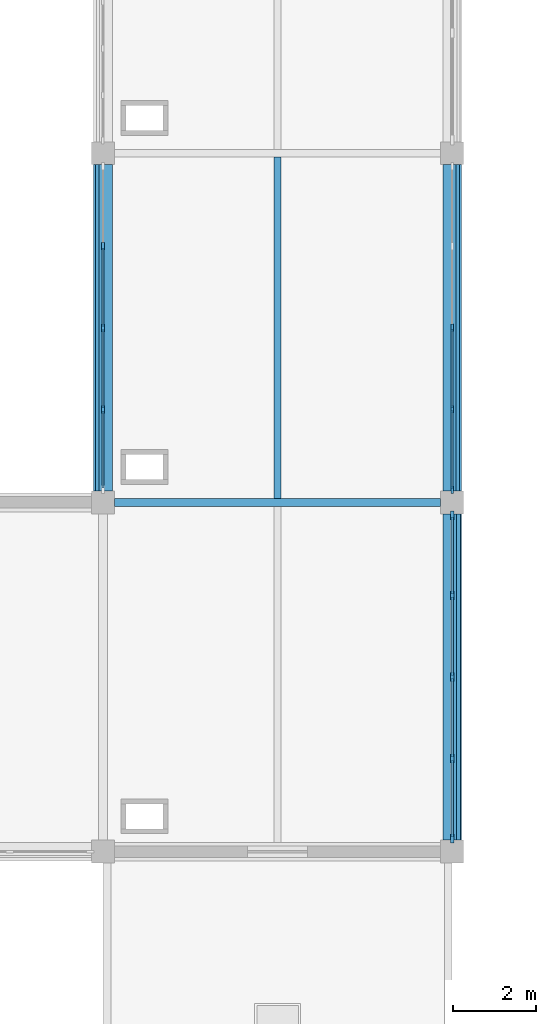
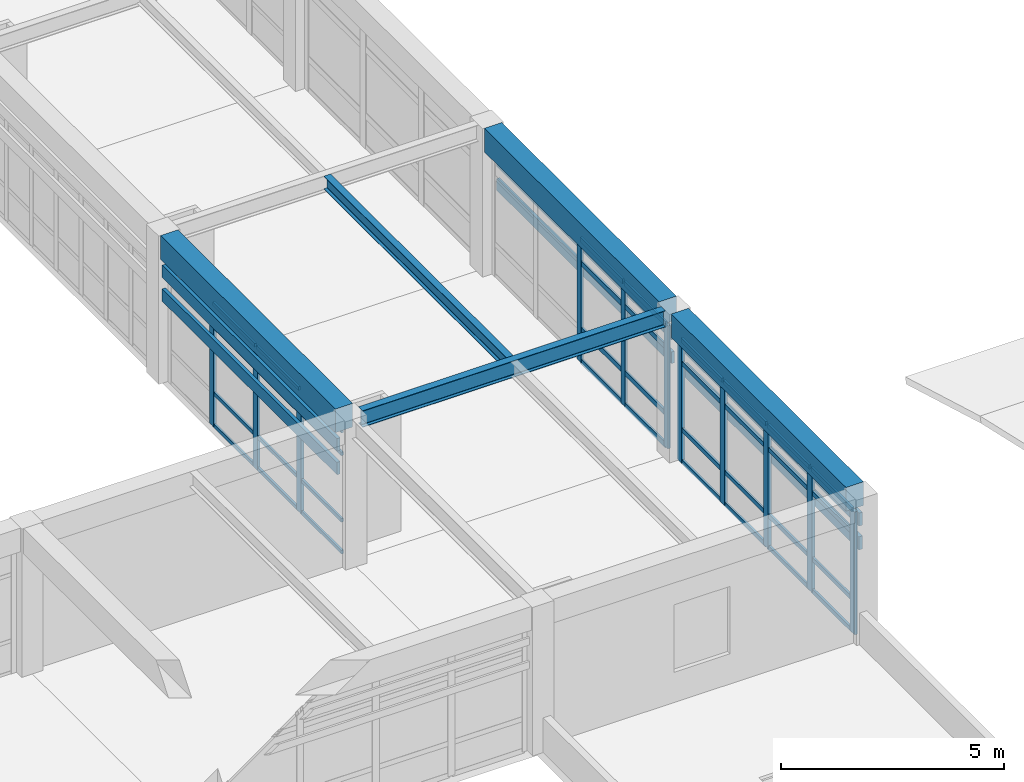
# One storey, part 8 of 40: 53 members, 5 beams, 3 elements without a shape of their own.
"""IFC4 building model written with IfcOpenShell, lengths in metres."""

from ifc_helpers import new_model, si_unit, direction, frame, origin, origin_2d, place, context, subcontext, project, spatial, rectangle, i_section, extrude, material, layer, layer_set, material_profile, profile_set, type_object, element, aggregate, save


model = new_model("IFC4")

# Units and contexts
model_context = context("Model", 3, precision=1e-05, world=origin(), true_north=direction((0.0, 1.0)))
body_context = subcontext(model_context, "Body", "Model", "MODEL_VIEW")
ifc_project = project(units=[si_unit("LENGTHUNIT", "METRE"), si_unit("AREAUNIT", "SQUARE_METRE"), si_unit("VOLUMEUNIT", "CUBIC_METRE"), si_unit("PLANEANGLEUNIT", "RADIAN"), si_unit("MASSUNIT", "GRAM", prefix="KILO")], contexts=[model_context])

# Site, building, storey
site_placement = place(None, origin())
site = spatial("IfcSite", under=ifc_project, at=site_placement, CompositionType="ELEMENT")
building_placement = place(site_placement, origin())
building = spatial("IfcBuilding", under=site, at=building_placement, Name="Porcellanite Civic Hall", CompositionType="ELEMENT")
storey_placement = place(building_placement, frame((0.0, 0.0, 19.080078125)))
storey = spatial("IfcBuildingStorey", under=building, at=storey_placement, Name="L04", CompositionType="ELEMENT", Elevation=19.080078125)

# Beams
ifc_material_1 = material(Name="Concrete N50 (50 MPa)", Category="concrete")
ifc_material_profile_1 = material_profile(ifc_material_1, rectangle(XDim=0.449951171875, YDim=0.64990234375, at=origin_2d()), Name="RC-450x650")
ifc_profile_set_1 = profile_set([ifc_material_profile_1], Name="Concrete N50 (50 MPa)")
beam_type_1 = type_object("IfcBeamType", Name="BM-RC650", PredefinedType="SPANDREL", material=ifc_profile_set_1)
beam_1_placement = place(storey_placement, frame((50.39990234375, 75.87451171875, 3.744873046875), z_axis=(0.0, 1.0, 0.0), x_axis=(-1.0, 0.0, 0.0)))
element("IfcBeam", 1, at=beam_1_placement, inside=storey, type_object=beam_type_1, Name="Beam Y L04 7-10", PredefinedType="SPANDREL", context=body_context, shape_type="SweptSolid", body=[
    extrude(rectangle(XDim=0.449951171875, YDim=0.64990234375, at=origin_2d()), origin(), (0.0, 0.0, 1.0), 7.85107421875),
])
beam_2_placement = place(storey_placement, frame((58.800048828125, 67.474609375, 3.744873046875), z_axis=(0.0, 1.0, 0.0), x_axis=(-1.0, 0.0, 0.0)))
element("IfcBeam", 2, at=beam_2_placement, inside=storey, type_object=beam_type_1, Name="Beam Y L04 8-9", PredefinedType="SPANDREL", context=body_context, shape_type="SweptSolid", body=[
    extrude(rectangle(XDim=0.449951171875, YDim=0.64990234375, at=origin_2d()), origin(), (0.0, 0.0, 1.0), 7.850830078125),
])
beam_3_placement = place(storey_placement, frame((58.800048828125, 75.87451171875, 3.744873046875), z_axis=(0.0, 1.0, 0.0), x_axis=(-1.0, 0.0, 0.0)))
element("IfcBeam", 3, at=beam_3_placement, inside=storey, type_object=beam_type_1, Name="Beam Y L04 8-10", PredefinedType="SPANDREL", context=body_context, shape_type="SweptSolid", body=[
    extrude(rectangle(XDim=0.449951171875, YDim=0.64990234375, at=origin_2d()), origin(), (0.0, 0.0, 1.0), 7.85107421875),
])

# Curtain wall, members
ifc_material_2 = material(Name="Anodised aluminium and solar laminated glass", Category="aluminium")
ifc_layer_1 = layer(ifc_material_2, 0.179931640625)
ifc_layer_set_1 = layer_set([ifc_layer_1], Name="Anodised aluminium and solar laminated glass")
curtain_wall_type_1 = type_object("IfcCurtainWallType", Name="CW-SYS03", PredefinedType="NOTDEFINED", material=ifc_layer_set_1)
curtain_wall_1_placement = place(storey_placement, origin())
curtain_wall_1 = element("IfcCurtainWall", 4, at=curtain_wall_1_placement, inside=storey, type_object=curtain_wall_type_1, Name="Curtain wall CW-240", PredefinedType="NOTDEFINED")
ifc_material_3 = material(Name="Anodised aluminium 6063-T6", Category="aluminium")
ifc_material_profile_2 = material_profile(ifc_material_3, rectangle(XDim=0.080078125, YDim=0.2099609375, at=origin_2d()), Name="AL-80x210")
ifc_profile_set_2 = profile_set([ifc_material_profile_2], Name="Anodised aluminium 6063-T6")
member_type_1 = type_object("IfcMemberType", Name="CWM-02", PredefinedType="MULLION", material=ifc_profile_set_2)
member_1_placement = place(storey_placement, frame((58.800048828125, 75.283935546875, 0.0), z_axis=(0.0, 0.0, 1.0), x_axis=(1.0, 0.0, 0.0)))
member_1 = element("IfcMember", 5, at=member_1_placement, type_object=member_type_1, Name="CW-240 mullion 1", PredefinedType="MULLION", context=body_context, shape_type="SweptSolid", body=[
    extrude(rectangle(XDim=0.080078125, YDim=0.2099609375, at=origin_2d()), origin(), (0.0, 0.0, 1.0), 3.369873046875),
])
member_2_placement = place(storey_placement, frame((58.800048828125, 73.362060546875, 0.0), z_axis=(0.0, 0.0, 1.0), x_axis=(1.0, 0.0, 0.0)))
member_2 = element("IfcMember", 6, at=member_2_placement, type_object=member_type_1, Name="CW-240 mullion 2", PredefinedType="MULLION", context=body_context, shape_type="SweptSolid", body=[
    extrude(rectangle(XDim=0.080078125, YDim=0.2099609375, at=origin_2d()), origin(), (0.0, 0.0, 1.0), 3.369873046875),
])
member_3_placement = place(storey_placement, frame((58.800048828125, 71.39990234375, 0.0), z_axis=(0.0, 0.0, 1.0), x_axis=(1.0, 0.0, 0.0)))
member_3 = element("IfcMember", 7, at=member_3_placement, type_object=member_type_1, Name="CW-240 mullion 3", PredefinedType="MULLION", context=body_context, shape_type="SweptSolid", body=[
    extrude(rectangle(XDim=0.080078125, YDim=0.2099609375, at=origin_2d()), origin(), (0.0, 0.0, 1.0), 3.369873046875),
])
member_4_placement = place(storey_placement, frame((58.800048828125, 69.43798828125, 0.0), z_axis=(0.0, 0.0, 1.0), x_axis=(1.0, 0.0, 0.0)))
member_4 = element("IfcMember", 8, at=member_4_placement, type_object=member_type_1, Name="CW-240 mullion 4", PredefinedType="MULLION", context=body_context, shape_type="SweptSolid", body=[
    extrude(rectangle(XDim=0.080078125, YDim=0.2099609375, at=origin_2d()), origin(), (0.0, 0.0, 1.0), 3.369873046875),
])
member_5_placement = place(storey_placement, frame((58.800048828125, 67.51611328125, 0.0), z_axis=(0.0, 0.0, 1.0), x_axis=(1.0, 0.0, 0.0)))
member_5 = element("IfcMember", 9, at=member_5_placement, type_object=member_type_1, Name="CW-240 mullion 5", PredefinedType="MULLION", context=body_context, shape_type="SweptSolid", body=[
    extrude(rectangle(XDim=0.080078125, YDim=0.2099609375, at=origin_2d()), origin(), (0.0, 0.0, 1.0), 3.369873046875),
])

ifc_material_4 = material(Name="Anodised aluminium and solar laminated glass", Category="aluminium")
ifc_layer_2 = layer(ifc_material_4, 0.179931640625)
ifc_layer_set_2 = layer_set([ifc_layer_2], Name="Anodised aluminium and solar laminated glass")
curtain_wall_type_2 = type_object("IfcCurtainWallType", Name="CW-SYS04", PredefinedType="NOTDEFINED", material=ifc_layer_set_2)
curtain_wall_2_placement = place(storey_placement, origin())
curtain_wall_2 = element("IfcCurtainWall", 10, at=curtain_wall_2_placement, inside=storey, type_object=curtain_wall_type_2, Name="Curtain wall CW-241", PredefinedType="NOTDEFINED")
ifc_material_5 = material(Name="Anodised aluminium 6063-T6", Category="aluminium")
ifc_material_profile_3 = material_profile(ifc_material_5, rectangle(XDim=0.074951171875, YDim=0.18994140625, at=origin_2d()), Name="AL-75x190")
ifc_profile_set_3 = profile_set([ifc_material_profile_3], Name="Anodised aluminium 6063-T6")
member_type_2 = type_object("IfcMemberType", Name="CWM-04", PredefinedType="MULLION", material=ifc_profile_set_3)
member_6_placement = place(storey_placement, frame((50.39990234375, 77.837890625, 0.0), z_axis=(0.0, 0.0, 1.0), x_axis=(-1.0, 0.0, 0.0)))
member_6 = element("IfcMember", 11, at=member_6_placement, type_object=member_type_2, Name="CW-241 mullion 2", PredefinedType="MULLION", context=body_context, shape_type="SweptSolid", body=[
    extrude(rectangle(XDim=0.074951171875, YDim=0.18994140625, at=origin_2d()), origin(), (0.0, 0.0, 1.0), 3.369873046875),
])
member_7_placement = place(storey_placement, frame((50.39990234375, 79.800048828125, 0.0), z_axis=(0.0, 0.0, 1.0), x_axis=(-1.0, 0.0, 0.0)))
member_7 = element("IfcMember", 12, at=member_7_placement, type_object=member_type_2, Name="CW-241 mullion 3", PredefinedType="MULLION", context=body_context, shape_type="SweptSolid", body=[
    extrude(rectangle(XDim=0.074951171875, YDim=0.18994140625, at=origin_2d()), origin(), (0.0, 0.0, 1.0), 3.369873046875),
])
member_8_placement = place(storey_placement, frame((50.39990234375, 81.761962890625, 0.0), z_axis=(0.0, 0.0, 1.0), x_axis=(-1.0, 0.0, 0.0)))
member_8 = element("IfcMember", 13, at=member_8_placement, type_object=member_type_2, Name="CW-241 mullion 4", PredefinedType="MULLION", context=body_context, shape_type="SweptSolid", body=[
    extrude(rectangle(XDim=0.074951171875, YDim=0.18994140625, at=origin_2d()), origin(), (0.0, 0.0, 1.0), 3.369873046875),
])

ifc_material_6 = material(Name="Anodised aluminium and solar laminated glass", Category="aluminium")
ifc_layer_3 = layer(ifc_material_6, 0.179931640625)
ifc_layer_set_3 = layer_set([ifc_layer_3], Name="Anodised aluminium and solar laminated glass")
curtain_wall_type_3 = type_object("IfcCurtainWallType", Name="CW-SYS06", PredefinedType="NOTDEFINED", material=ifc_layer_set_3)
curtain_wall_3_placement = place(storey_placement, origin())
curtain_wall_3 = element("IfcCurtainWall", 14, at=curtain_wall_3_placement, inside=storey, type_object=curtain_wall_type_3, Name="Curtain wall CW-242", PredefinedType="NOTDEFINED")
ifc_material_7 = material(Name="Anodised aluminium 6063-T6", Category="aluminium")
ifc_material_profile_4 = material_profile(ifc_material_7, rectangle(XDim=0.06494140625, YDim=0.179931640625, at=origin_2d()), Name="AL-65x180")
ifc_profile_set_4 = profile_set([ifc_material_profile_4], Name="Anodised aluminium 6063-T6")
member_type_3 = type_object("IfcMemberType", Name="CWM-06", PredefinedType="MULLION", material=ifc_profile_set_4)
member_9_placement = place(storey_placement, frame((58.800048828125, 79.800048828125, 0.0), z_axis=(0.0, 0.0, 1.0), x_axis=(1.0, 0.0, 0.0)))
member_9 = element("IfcMember", 15, at=member_9_placement, type_object=member_type_3, Name="CW-242 mullion 3", PredefinedType="MULLION", context=body_context, shape_type="SweptSolid", body=[
    extrude(rectangle(XDim=0.06494140625, YDim=0.179931640625, at=origin_2d()), origin(), (0.0, 0.0, 1.0), 3.369873046875),
])
member_10_placement = place(storey_placement, frame((58.800048828125, 77.837890625, 0.0), z_axis=(0.0, 0.0, 1.0), x_axis=(1.0, 0.0, 0.0)))
member_10 = element("IfcMember", 16, at=member_10_placement, type_object=member_type_3, Name="CW-242 mullion 4", PredefinedType="MULLION", context=body_context, shape_type="SweptSolid", body=[
    extrude(rectangle(XDim=0.06494140625, YDim=0.179931640625, at=origin_2d()), origin(), (0.0, 0.0, 1.0), 3.369873046875),
])
member_11_placement = place(storey_placement, frame((58.800048828125, 75.908447265625, 0.0), z_axis=(0.0, 0.0, 1.0), x_axis=(1.0, 0.0, 0.0)))
member_11 = element("IfcMember", 17, at=member_11_placement, type_object=member_type_3, Name="CW-242 mullion 5", PredefinedType="MULLION", context=body_context, shape_type="SweptSolid", body=[
    extrude(rectangle(XDim=0.06494140625, YDim=0.179931640625, at=origin_2d()), origin(), (0.0, 0.0, 1.0), 3.369873046875),
])

# Member
ifc_material_8 = material(Name="Anodised aluminium 6063-T6", Category="aluminium")
ifc_material_profile_5 = material_profile(ifc_material_8, rectangle(XDim=0.054931640625, YDim=0.1201171875, at=origin_2d()), Name="AL-55x120")
ifc_profile_set_5 = profile_set([ifc_material_profile_5], Name="Anodised aluminium 6063-T6")
member_type_4 = type_object("IfcMemberType", Name="CWT-04", PredefinedType="USERDEFINED", material=ifc_profile_set_5)
member_12_placement = place(storey_placement, frame((58.800048828125, 75.243896484375, 0.02734375), z_axis=(0.0, -1.0, 0.0), x_axis=(1.0, 0.0, 0.0)))
member_12 = element("IfcMember", 18, at=member_12_placement, type_object=member_type_4, Name="CW-240 transom 1.1", ObjectType="TRANSOM", PredefinedType="USERDEFINED", context=body_context, shape_type="SweptSolid", body=[
    extrude(rectangle(XDim=0.054931640625, YDim=0.1201171875, at=origin_2d()), origin(), (0.0, 0.0, 1.0), 1.841796875),
])

member_13_placement = place(storey_placement, frame((58.800048828125, 75.243896484375, 0.89990234375), z_axis=(0.0, -1.0, 0.0), x_axis=(1.0, 0.0, 0.0)))
member_13 = element("IfcMember", 19, at=member_13_placement, type_object=member_type_4, Name="CW-240 transom 1.2", ObjectType="TRANSOM", PredefinedType="USERDEFINED", context=body_context, shape_type="SweptSolid", body=[
    extrude(rectangle(XDim=0.054931640625, YDim=0.1201171875, at=origin_2d()), origin(), (0.0, 0.0, 1.0), 1.841796875),
])

member_14_placement = place(storey_placement, frame((58.800048828125, 75.243896484375, 2.719970703125), z_axis=(0.0, -1.0, 0.0), x_axis=(1.0, 0.0, 0.0)))
member_14 = element("IfcMember", 20, at=member_14_placement, type_object=member_type_4, Name="CW-240 transom 1.3", ObjectType="TRANSOM", PredefinedType="USERDEFINED", context=body_context, shape_type="SweptSolid", body=[
    extrude(rectangle(XDim=0.054931640625, YDim=0.1201171875, at=origin_2d()), origin(), (0.0, 0.0, 1.0), 1.841796875),
])

member_15_placement = place(storey_placement, frame((58.800048828125, 75.243896484375, 3.342529296875), z_axis=(0.0, -1.0, 0.0), x_axis=(1.0, 0.0, 0.0)))
member_15 = element("IfcMember", 21, at=member_15_placement, type_object=member_type_4, Name="CW-240 transom 1.4", ObjectType="TRANSOM", PredefinedType="USERDEFINED", context=body_context, shape_type="SweptSolid", body=[
    extrude(rectangle(XDim=0.054931640625, YDim=0.1201171875, at=origin_2d()), origin(), (0.0, 0.0, 1.0), 1.841796875),
])

member_16_placement = place(storey_placement, frame((58.800048828125, 73.322021484375, 0.02734375), z_axis=(0.0, -1.0, 0.0), x_axis=(1.0, 0.0, 0.0)))
member_16 = element("IfcMember", 22, at=member_16_placement, type_object=member_type_4, Name="CW-240 transom 2.1", ObjectType="TRANSOM", PredefinedType="USERDEFINED", context=body_context, shape_type="SweptSolid", body=[
    extrude(rectangle(XDim=0.054931640625, YDim=0.1201171875, at=origin_2d()), origin(), (0.0, 0.0, 1.0), 1.882080078125),
])

member_17_placement = place(storey_placement, frame((58.800048828125, 73.322021484375, 0.89990234375), z_axis=(0.0, -1.0, 0.0), x_axis=(1.0, 0.0, 0.0)))
member_17 = element("IfcMember", 23, at=member_17_placement, type_object=member_type_4, Name="CW-240 transom 2.2", ObjectType="TRANSOM", PredefinedType="USERDEFINED", context=body_context, shape_type="SweptSolid", body=[
    extrude(rectangle(XDim=0.054931640625, YDim=0.1201171875, at=origin_2d()), origin(), (0.0, 0.0, 1.0), 1.882080078125),
])

member_18_placement = place(storey_placement, frame((58.800048828125, 73.322021484375, 2.719970703125), z_axis=(0.0, -1.0, 0.0), x_axis=(1.0, 0.0, 0.0)))
member_18 = element("IfcMember", 24, at=member_18_placement, type_object=member_type_4, Name="CW-240 transom 2.3", ObjectType="TRANSOM", PredefinedType="USERDEFINED", context=body_context, shape_type="SweptSolid", body=[
    extrude(rectangle(XDim=0.054931640625, YDim=0.1201171875, at=origin_2d()), origin(), (0.0, 0.0, 1.0), 1.882080078125),
])

member_19_placement = place(storey_placement, frame((58.800048828125, 73.322021484375, 3.342529296875), z_axis=(0.0, -1.0, 0.0), x_axis=(1.0, 0.0, 0.0)))
member_19 = element("IfcMember", 25, at=member_19_placement, type_object=member_type_4, Name="CW-240 transom 2.4", ObjectType="TRANSOM", PredefinedType="USERDEFINED", context=body_context, shape_type="SweptSolid", body=[
    extrude(rectangle(XDim=0.054931640625, YDim=0.1201171875, at=origin_2d()), origin(), (0.0, 0.0, 1.0), 1.882080078125),
])

member_20_placement = place(storey_placement, frame((58.800048828125, 71.360107421875, 0.02734375), z_axis=(0.0, -1.0, 0.0), x_axis=(1.0, 0.0, 0.0)))
member_20 = element("IfcMember", 26, at=member_20_placement, type_object=member_type_4, Name="CW-240 transom 3.1", ObjectType="TRANSOM", PredefinedType="USERDEFINED", context=body_context, shape_type="SweptSolid", body=[
    extrude(rectangle(XDim=0.054931640625, YDim=0.1201171875, at=origin_2d()), origin(), (0.0, 0.0, 1.0), 1.882080078125),
])

member_21_placement = place(storey_placement, frame((58.800048828125, 71.360107421875, 0.89990234375), z_axis=(0.0, -1.0, 0.0), x_axis=(1.0, 0.0, 0.0)))
member_21 = element("IfcMember", 27, at=member_21_placement, type_object=member_type_4, Name="CW-240 transom 3.2", ObjectType="TRANSOM", PredefinedType="USERDEFINED", context=body_context, shape_type="SweptSolid", body=[
    extrude(rectangle(XDim=0.054931640625, YDim=0.1201171875, at=origin_2d()), origin(), (0.0, 0.0, 1.0), 1.882080078125),
])

member_22_placement = place(storey_placement, frame((58.800048828125, 71.360107421875, 2.719970703125), z_axis=(0.0, -1.0, 0.0), x_axis=(1.0, 0.0, 0.0)))
member_22 = element("IfcMember", 28, at=member_22_placement, type_object=member_type_4, Name="CW-240 transom 3.3", ObjectType="TRANSOM", PredefinedType="USERDEFINED", context=body_context, shape_type="SweptSolid", body=[
    extrude(rectangle(XDim=0.054931640625, YDim=0.1201171875, at=origin_2d()), origin(), (0.0, 0.0, 1.0), 1.882080078125),
])

member_23_placement = place(storey_placement, frame((58.800048828125, 71.360107421875, 3.342529296875), z_axis=(0.0, -1.0, 0.0), x_axis=(1.0, 0.0, 0.0)))
member_23 = element("IfcMember", 29, at=member_23_placement, type_object=member_type_4, Name="CW-240 transom 3.4", ObjectType="TRANSOM", PredefinedType="USERDEFINED", context=body_context, shape_type="SweptSolid", body=[
    extrude(rectangle(XDim=0.054931640625, YDim=0.1201171875, at=origin_2d()), origin(), (0.0, 0.0, 1.0), 1.882080078125),
])

member_24_placement = place(storey_placement, frame((58.800048828125, 69.39794921875, 0.02734375), z_axis=(0.0, -1.0, 0.0), x_axis=(1.0, 0.0, 0.0)))
member_24 = element("IfcMember", 30, at=member_24_placement, type_object=member_type_4, Name="CW-240 transom 4.1", ObjectType="TRANSOM", PredefinedType="USERDEFINED", context=body_context, shape_type="SweptSolid", body=[
    extrude(rectangle(XDim=0.054931640625, YDim=0.1201171875, at=origin_2d()), origin(), (0.0, 0.0, 1.0), 1.842041015625),
])

member_25_placement = place(storey_placement, frame((58.800048828125, 69.39794921875, 0.89990234375), z_axis=(0.0, -1.0, 0.0), x_axis=(1.0, 0.0, 0.0)))
member_25 = element("IfcMember", 31, at=member_25_placement, type_object=member_type_4, Name="CW-240 transom 4.2", ObjectType="TRANSOM", PredefinedType="USERDEFINED", context=body_context, shape_type="SweptSolid", body=[
    extrude(rectangle(XDim=0.054931640625, YDim=0.1201171875, at=origin_2d()), origin(), (0.0, 0.0, 1.0), 1.842041015625),
])

member_26_placement = place(storey_placement, frame((58.800048828125, 69.39794921875, 2.719970703125), z_axis=(0.0, -1.0, 0.0), x_axis=(1.0, 0.0, 0.0)))
member_26 = element("IfcMember", 32, at=member_26_placement, type_object=member_type_4, Name="CW-240 transom 4.3", ObjectType="TRANSOM", PredefinedType="USERDEFINED", context=body_context, shape_type="SweptSolid", body=[
    extrude(rectangle(XDim=0.054931640625, YDim=0.1201171875, at=origin_2d()), origin(), (0.0, 0.0, 1.0), 1.842041015625),
])

member_27_placement = place(storey_placement, frame((58.800048828125, 69.39794921875, 3.342529296875), z_axis=(0.0, -1.0, 0.0), x_axis=(1.0, 0.0, 0.0)))
member_27 = element("IfcMember", 33, at=member_27_placement, type_object=member_type_4, Name="CW-240 transom 4.4", ObjectType="TRANSOM", PredefinedType="USERDEFINED", context=body_context, shape_type="SweptSolid", body=[
    extrude(rectangle(XDim=0.054931640625, YDim=0.1201171875, at=origin_2d()), origin(), (0.0, 0.0, 1.0), 1.842041015625),
])

aggregate(curtain_wall_1, [member_1, member_2, member_3, member_4, member_5, member_12, member_13, member_14, member_15, member_16, member_17, member_18, member_19, member_20, member_21, member_22, member_23, member_24, member_25, member_26, member_27])

ifc_material_9 = material(Name="Anodised aluminium 6063-T6", Category="aluminium")
ifc_material_profile_6 = material_profile(ifc_material_9, rectangle(XDim=0.054931640625, YDim=0.10009765625, at=origin_2d()), Name="AL-55x100")
ifc_profile_set_6 = profile_set([ifc_material_profile_6], Name="Anodised aluminium 6063-T6")
member_type_5 = type_object("IfcMemberType", Name="CWT-05", PredefinedType="USERDEFINED", material=ifc_profile_set_6)
member_28_placement = place(storey_placement, frame((50.39990234375, 75.950927734375, 0.02734375), z_axis=(0.0, 1.0, 0.0), x_axis=(-1.0, 0.0, 0.0)))
member_28 = element("IfcMember", 34, at=member_28_placement, type_object=member_type_5, Name="CW-241 transom 1.1", ObjectType="TRANSOM", PredefinedType="USERDEFINED", context=body_context, shape_type="SweptSolid", body=[
    extrude(rectangle(XDim=0.054931640625, YDim=0.10009765625, at=origin_2d()), origin(), (0.0, 0.0, 1.0), 1.849609375),
])

member_29_placement = place(storey_placement, frame((50.39990234375, 75.950927734375, 0.89990234375), z_axis=(0.0, 1.0, 0.0), x_axis=(-1.0, 0.0, 0.0)))
member_29 = element("IfcMember", 35, at=member_29_placement, type_object=member_type_5, Name="CW-241 transom 1.2", ObjectType="TRANSOM", PredefinedType="USERDEFINED", context=body_context, shape_type="SweptSolid", body=[
    extrude(rectangle(XDim=0.054931640625, YDim=0.10009765625, at=origin_2d()), origin(), (0.0, 0.0, 1.0), 1.849609375),
])

member_30_placement = place(storey_placement, frame((50.39990234375, 75.950927734375, 2.719970703125), z_axis=(0.0, 1.0, 0.0), x_axis=(-1.0, 0.0, 0.0)))
member_30 = element("IfcMember", 36, at=member_30_placement, type_object=member_type_5, Name="CW-241 transom 1.3", ObjectType="TRANSOM", PredefinedType="USERDEFINED", context=body_context, shape_type="SweptSolid", body=[
    extrude(rectangle(XDim=0.054931640625, YDim=0.10009765625, at=origin_2d()), origin(), (0.0, 0.0, 1.0), 1.849609375),
])

member_31_placement = place(storey_placement, frame((50.39990234375, 75.950927734375, 3.342529296875), z_axis=(0.0, 1.0, 0.0), x_axis=(-1.0, 0.0, 0.0)))
member_31 = element("IfcMember", 37, at=member_31_placement, type_object=member_type_5, Name="CW-241 transom 1.4", ObjectType="TRANSOM", PredefinedType="USERDEFINED", context=body_context, shape_type="SweptSolid", body=[
    extrude(rectangle(XDim=0.054931640625, YDim=0.10009765625, at=origin_2d()), origin(), (0.0, 0.0, 1.0), 1.849609375),
])

member_32_placement = place(storey_placement, frame((50.39990234375, 77.87548828125, 0.02734375), z_axis=(0.0, 1.0, 0.0), x_axis=(-1.0, 0.0, 0.0)))
member_32 = element("IfcMember", 38, at=member_32_placement, type_object=member_type_5, Name="CW-241 transom 2.1", ObjectType="TRANSOM", PredefinedType="USERDEFINED", context=body_context, shape_type="SweptSolid", body=[
    extrude(rectangle(XDim=0.054931640625, YDim=0.10009765625, at=origin_2d()), origin(), (0.0, 0.0, 1.0), 1.886962890625),
])

member_33_placement = place(storey_placement, frame((50.39990234375, 77.87548828125, 0.89990234375), z_axis=(0.0, 1.0, 0.0), x_axis=(-1.0, 0.0, 0.0)))
member_33 = element("IfcMember", 39, at=member_33_placement, type_object=member_type_5, Name="CW-241 transom 2.2", ObjectType="TRANSOM", PredefinedType="USERDEFINED", context=body_context, shape_type="SweptSolid", body=[
    extrude(rectangle(XDim=0.054931640625, YDim=0.10009765625, at=origin_2d()), origin(), (0.0, 0.0, 1.0), 1.886962890625),
])

member_34_placement = place(storey_placement, frame((50.39990234375, 77.87548828125, 2.719970703125), z_axis=(0.0, 1.0, 0.0), x_axis=(-1.0, 0.0, 0.0)))
member_34 = element("IfcMember", 40, at=member_34_placement, type_object=member_type_5, Name="CW-241 transom 2.3", ObjectType="TRANSOM", PredefinedType="USERDEFINED", context=body_context, shape_type="SweptSolid", body=[
    extrude(rectangle(XDim=0.054931640625, YDim=0.10009765625, at=origin_2d()), origin(), (0.0, 0.0, 1.0), 1.886962890625),
])

member_35_placement = place(storey_placement, frame((50.39990234375, 77.87548828125, 3.342529296875), z_axis=(0.0, 1.0, 0.0), x_axis=(-1.0, 0.0, 0.0)))
member_35 = element("IfcMember", 41, at=member_35_placement, type_object=member_type_5, Name="CW-241 transom 2.4", ObjectType="TRANSOM", PredefinedType="USERDEFINED", context=body_context, shape_type="SweptSolid", body=[
    extrude(rectangle(XDim=0.054931640625, YDim=0.10009765625, at=origin_2d()), origin(), (0.0, 0.0, 1.0), 1.886962890625),
])

member_36_placement = place(storey_placement, frame((50.39990234375, 79.83740234375, 0.02734375), z_axis=(0.0, 1.0, 0.0), x_axis=(-1.0, 0.0, 0.0)))
member_36 = element("IfcMember", 42, at=member_36_placement, type_object=member_type_5, Name="CW-241 transom 3.1", ObjectType="TRANSOM", PredefinedType="USERDEFINED", context=body_context, shape_type="SweptSolid", body=[
    extrude(rectangle(XDim=0.054931640625, YDim=0.10009765625, at=origin_2d()), origin(), (0.0, 0.0, 1.0), 1.88720703125),
])

member_37_placement = place(storey_placement, frame((50.39990234375, 79.83740234375, 0.89990234375), z_axis=(0.0, 1.0, 0.0), x_axis=(-1.0, 0.0, 0.0)))
member_37 = element("IfcMember", 43, at=member_37_placement, type_object=member_type_5, Name="CW-241 transom 3.2", ObjectType="TRANSOM", PredefinedType="USERDEFINED", context=body_context, shape_type="SweptSolid", body=[
    extrude(rectangle(XDim=0.054931640625, YDim=0.10009765625, at=origin_2d()), origin(), (0.0, 0.0, 1.0), 1.88720703125),
])

member_38_placement = place(storey_placement, frame((50.39990234375, 79.83740234375, 2.719970703125), z_axis=(0.0, 1.0, 0.0), x_axis=(-1.0, 0.0, 0.0)))
member_38 = element("IfcMember", 44, at=member_38_placement, type_object=member_type_5, Name="CW-241 transom 3.3", ObjectType="TRANSOM", PredefinedType="USERDEFINED", context=body_context, shape_type="SweptSolid", body=[
    extrude(rectangle(XDim=0.054931640625, YDim=0.10009765625, at=origin_2d()), origin(), (0.0, 0.0, 1.0), 1.88720703125),
])

member_39_placement = place(storey_placement, frame((50.39990234375, 79.83740234375, 3.342529296875), z_axis=(0.0, 1.0, 0.0), x_axis=(-1.0, 0.0, 0.0)))
member_39 = element("IfcMember", 45, at=member_39_placement, type_object=member_type_5, Name="CW-241 transom 3.4", ObjectType="TRANSOM", PredefinedType="USERDEFINED", context=body_context, shape_type="SweptSolid", body=[
    extrude(rectangle(XDim=0.054931640625, YDim=0.10009765625, at=origin_2d()), origin(), (0.0, 0.0, 1.0), 1.88720703125),
])

aggregate(curtain_wall_2, [member_6, member_7, member_8, member_28, member_29, member_30, member_31, member_32, member_33, member_34, member_35, member_36, member_37, member_38, member_39])

ifc_material_10 = material(Name="Anodised aluminium 6063-T6", Category="aluminium")
ifc_material_profile_7 = material_profile(ifc_material_10, rectangle(XDim=0.050048828125, YDim=0.139892578125, at=origin_2d()), Name="AL-50x140")
ifc_profile_set_7 = profile_set([ifc_material_profile_7], Name="Anodised aluminium 6063-T6")
member_type_6 = type_object("IfcMemberType", Name="CWT-06", PredefinedType="USERDEFINED", material=ifc_profile_set_7)
member_40_placement = place(storey_placement, frame((58.800048828125, 79.767578125, 0.02490234375), z_axis=(0.0, -1.0, 0.0), x_axis=(1.0, 0.0, 0.0)))
member_40 = element("IfcMember", 46, at=member_40_placement, type_object=member_type_6, Name="CW-242 transom 3.1", ObjectType="TRANSOM", PredefinedType="USERDEFINED", context=body_context, shape_type="SweptSolid", body=[
    extrude(rectangle(XDim=0.050048828125, YDim=0.139892578125, at=origin_2d()), origin(), (0.0, 0.0, 1.0), 1.89697265625),
])

member_41_placement = place(storey_placement, frame((58.800048828125, 79.767578125, 0.89990234375), z_axis=(0.0, -1.0, 0.0), x_axis=(1.0, 0.0, 0.0)))
member_41 = element("IfcMember", 47, at=member_41_placement, type_object=member_type_6, Name="CW-242 transom 3.2", ObjectType="TRANSOM", PredefinedType="USERDEFINED", context=body_context, shape_type="SweptSolid", body=[
    extrude(rectangle(XDim=0.050048828125, YDim=0.139892578125, at=origin_2d()), origin(), (0.0, 0.0, 1.0), 1.89697265625),
])

member_42_placement = place(storey_placement, frame((58.800048828125, 79.767578125, 2.719970703125), z_axis=(0.0, -1.0, 0.0), x_axis=(1.0, 0.0, 0.0)))
member_42 = element("IfcMember", 48, at=member_42_placement, type_object=member_type_6, Name="CW-242 transom 3.3", ObjectType="TRANSOM", PredefinedType="USERDEFINED", context=body_context, shape_type="SweptSolid", body=[
    extrude(rectangle(XDim=0.050048828125, YDim=0.139892578125, at=origin_2d()), origin(), (0.0, 0.0, 1.0), 1.89697265625),
])

member_43_placement = place(storey_placement, frame((58.800048828125, 79.767578125, 3.344970703125), z_axis=(0.0, -1.0, 0.0), x_axis=(1.0, 0.0, 0.0)))
member_43 = element("IfcMember", 49, at=member_43_placement, type_object=member_type_6, Name="CW-242 transom 3.4", ObjectType="TRANSOM", PredefinedType="USERDEFINED", context=body_context, shape_type="SweptSolid", body=[
    extrude(rectangle(XDim=0.050048828125, YDim=0.139892578125, at=origin_2d()), origin(), (0.0, 0.0, 1.0), 1.89697265625),
])

member_44_placement = place(storey_placement, frame((58.800048828125, 77.805419921875, 0.02490234375), z_axis=(0.0, -1.0, 0.0), x_axis=(1.0, 0.0, 0.0)))
member_44 = element("IfcMember", 50, at=member_44_placement, type_object=member_type_6, Name="CW-242 transom 4.1", ObjectType="TRANSOM", PredefinedType="USERDEFINED", context=body_context, shape_type="SweptSolid", body=[
    extrude(rectangle(XDim=0.050048828125, YDim=0.139892578125, at=origin_2d()), origin(), (0.0, 0.0, 1.0), 1.864501953125),
])

member_45_placement = place(storey_placement, frame((58.800048828125, 77.805419921875, 0.89990234375), z_axis=(0.0, -1.0, 0.0), x_axis=(1.0, 0.0, 0.0)))
member_45 = element("IfcMember", 51, at=member_45_placement, type_object=member_type_6, Name="CW-242 transom 4.2", ObjectType="TRANSOM", PredefinedType="USERDEFINED", context=body_context, shape_type="SweptSolid", body=[
    extrude(rectangle(XDim=0.050048828125, YDim=0.139892578125, at=origin_2d()), origin(), (0.0, 0.0, 1.0), 1.864501953125),
])

member_46_placement = place(storey_placement, frame((58.800048828125, 77.805419921875, 2.719970703125), z_axis=(0.0, -1.0, 0.0), x_axis=(1.0, 0.0, 0.0)))
member_46 = element("IfcMember", 52, at=member_46_placement, type_object=member_type_6, Name="CW-242 transom 4.3", ObjectType="TRANSOM", PredefinedType="USERDEFINED", context=body_context, shape_type="SweptSolid", body=[
    extrude(rectangle(XDim=0.050048828125, YDim=0.139892578125, at=origin_2d()), origin(), (0.0, 0.0, 1.0), 1.864501953125),
])

member_47_placement = place(storey_placement, frame((58.800048828125, 77.805419921875, 3.344970703125), z_axis=(0.0, -1.0, 0.0), x_axis=(1.0, 0.0, 0.0)))
member_47 = element("IfcMember", 53, at=member_47_placement, type_object=member_type_6, Name="CW-242 transom 4.4", ObjectType="TRANSOM", PredefinedType="USERDEFINED", context=body_context, shape_type="SweptSolid", body=[
    extrude(rectangle(XDim=0.050048828125, YDim=0.139892578125, at=origin_2d()), origin(), (0.0, 0.0, 1.0), 1.864501953125),
])

aggregate(curtain_wall_3, [member_9, member_10, member_11, member_40, member_41, member_42, member_43, member_44, member_45, member_46, member_47])

# Beam
ifc_material_11 = material(Name="Steel Grade 350", Category="steel")
ifc_material_profile_8 = material_profile(ifc_material_11, i_section(OverallWidth=0.172119140625, OverallDepth=0.35888671875, WebThickness=0.008056640625, FlangeThickness=0.012939453125, FilletRadius=0.011474609375, at=origin_2d()), Name="360UB56.7")
ifc_profile_set_8 = profile_set([ifc_material_profile_8], Name="Steel Grade 350")
beam_type_2 = type_object("IfcBeamType", Name="JST-360UB57", PredefinedType="JOIST", material=ifc_profile_set_8)
beam_4_placement = place(storey_placement, frame((54.60009765625, 75.694580078125, 3.890380859375), z_axis=(0.0, 1.0, 0.0), x_axis=(-1.0, 0.0, 0.0)))
element("IfcBeam", 54, at=beam_4_placement, inside=storey, type_object=beam_type_2, Name="Secondary joist L04 7-10", PredefinedType="JOIST", context=body_context, shape_type="SweptSolid", body=[
    extrude(i_section(OverallWidth=0.172119140625, OverallDepth=0.35888671875, WebThickness=0.008056640625, FlangeThickness=0.012939453125, FilletRadius=0.011474609375, at=origin_2d()), origin(), (0.0, 0.0, 1.0), 8.2109375),
])

# Members
ifc_material_12 = material(Name="Fluoropolymer bauxite-red aluminium 6063-T6", Category="aluminium")
ifc_material_profile_9 = material_profile(ifc_material_12, rectangle(XDim=0.090087890625, YDim=0.360107421875, at=origin_2d()), Name="AL-90x360")
ifc_profile_set_9 = profile_set([ifc_material_profile_9], Name="Fluoropolymer bauxite-red aluminium 6063-T6")
member_type_7 = type_object("IfcMemberType", Name="LV-BLD01", PredefinedType="USERDEFINED", material=ifc_profile_set_9)
for number, where, z_axis, x_axis, name in (
    (55, (58.951904296875, 75.325439453125, 3.06982421875), (0.0, -1.0, 0.0), (1.0, 0.0, 0.0), "Cyclone sunshade louvre L04 E 6-8 1"),
    (56, (58.951904296875, 75.325439453125, 2.419921875), (0.0, -1.0, 0.0), (1.0, 0.0, 0.0), "Cyclone sunshade louvre L04 E 6-8 2"),
):
    element("IfcMember", number, at=place(storey_placement, frame(where, z_axis=z_axis, x_axis=x_axis)), inside=storey, type_object=member_type_7, Name=name, ObjectType="LOUVRE BLADE", PredefinedType="USERDEFINED", context=body_context, shape_type="SweptSolid", body=[
        extrude(rectangle(XDim=0.090087890625, YDim=0.360107421875, at=origin_2d()), origin(), (0.0, 0.0, 1.0), 7.850830078125),
    ])
ifc_material_13 = material(Name="Fluoropolymer bauxite-red aluminium 6063-T6", Category="aluminium")
ifc_material_profile_10 = material_profile(ifc_material_13, rectangle(XDim=0.0849609375, YDim=0.340087890625, at=origin_2d()), Name="AL-85x340")
ifc_profile_set_10 = profile_set([ifc_material_profile_10], Name="Fluoropolymer bauxite-red aluminium 6063-T6")
member_type_8 = type_object("IfcMemberType", Name="LV-BLD02", PredefinedType="USERDEFINED", material=ifc_profile_set_10)
for number, where, z_axis, x_axis, name in (
    (57, (50.260498046875, 75.87451171875, 3.06982421875), (0.0, 1.0, 0.0), (-1.0, 0.0, 0.0), "Cyclone sunshade louvre L04 W 6-9 1"),
    (58, (50.260498046875, 75.87451171875, 2.419921875), (0.0, 1.0, 0.0), (-1.0, 0.0, 0.0), "Cyclone sunshade louvre L04 W 6-9 2"),
):
    element("IfcMember", number, at=place(storey_placement, frame(where, z_axis=z_axis, x_axis=x_axis)), inside=storey, type_object=member_type_8, Name=name, ObjectType="LOUVRE BLADE", PredefinedType="USERDEFINED", context=body_context, shape_type="SweptSolid", body=[
        extrude(rectangle(XDim=0.0849609375, YDim=0.340087890625, at=origin_2d()), origin(), (0.0, 0.0, 1.0), 7.85107421875),
    ])
ifc_material_14 = material(Name="Fluoropolymer bauxite-red aluminium 6063-T6", Category="aluminium")
ifc_material_profile_11 = material_profile(ifc_material_14, rectangle(XDim=0.080078125, YDim=0.320068359375, at=origin_2d()), Name="AL-80x320")
ifc_profile_set_11 = profile_set([ifc_material_profile_11], Name="Fluoropolymer bauxite-red aluminium 6063-T6")
member_type_9 = type_object("IfcMemberType", Name="LV-BLD03", PredefinedType="USERDEFINED", material=ifc_profile_set_11)
for number, where, z_axis, x_axis, name in (
    (59, (58.931884765625, 83.7255859375, 3.06982421875), (0.0, -1.0, 0.0), (1.0, 0.0, 0.0), "Cyclone sunshade louvre L04 E 6-9 1"),
    (60, (58.931884765625, 83.7255859375, 2.419921875), (0.0, -1.0, 0.0), (1.0, 0.0, 0.0), "Cyclone sunshade louvre L04 E 6-9 2"),
):
    element("IfcMember", number, at=place(storey_placement, frame(where, z_axis=z_axis, x_axis=x_axis)), inside=storey, type_object=member_type_9, Name=name, ObjectType="LOUVRE BLADE", PredefinedType="USERDEFINED", context=body_context, shape_type="SweptSolid", body=[
        extrude(rectangle(XDim=0.080078125, YDim=0.320068359375, at=origin_2d()), origin(), (0.0, 0.0, 1.0), 7.85107421875),
    ])

# Beam
ifc_material_15 = material(Name="Steel Grade 350", Category="steel")
ifc_material_profile_12 = material_profile(ifc_material_15, i_section(OverallWidth=0.18994140625, OverallDepth=0.4541015625, WebThickness=0.008544921875, FlangeThickness=0.0126953125, FilletRadius=0.011474609375, at=origin_2d()), Name="460UB67.1")
ifc_profile_set_12 = profile_set([ifc_material_profile_12], Name="Steel Grade 350")
beam_type_3 = type_object("IfcBeamType", Name="RAF-460UB67", PredefinedType="BEAM", material=ifc_profile_set_12)
beam_5_placement = place(storey_placement, frame((50.674560546875, 75.60009765625, 3.843017578125), z_axis=(1.0, 0.0, 0.0), x_axis=(0.0, 1.0, 0.0)))
element("IfcBeam", 61, at=beam_5_placement, inside=storey, type_object=beam_type_3, Name="Beam X L04 7-10", PredefinedType="BEAM", context=body_context, shape_type="SweptSolid", body=[
    extrude(i_section(OverallWidth=0.18994140625, OverallDepth=0.4541015625, WebThickness=0.008544921875, FlangeThickness=0.0126953125, FilletRadius=0.011474609375, at=origin_2d()), origin(), (0.0, 0.0, 1.0), 7.850830078125),
])

save(model, "model.ifc")
